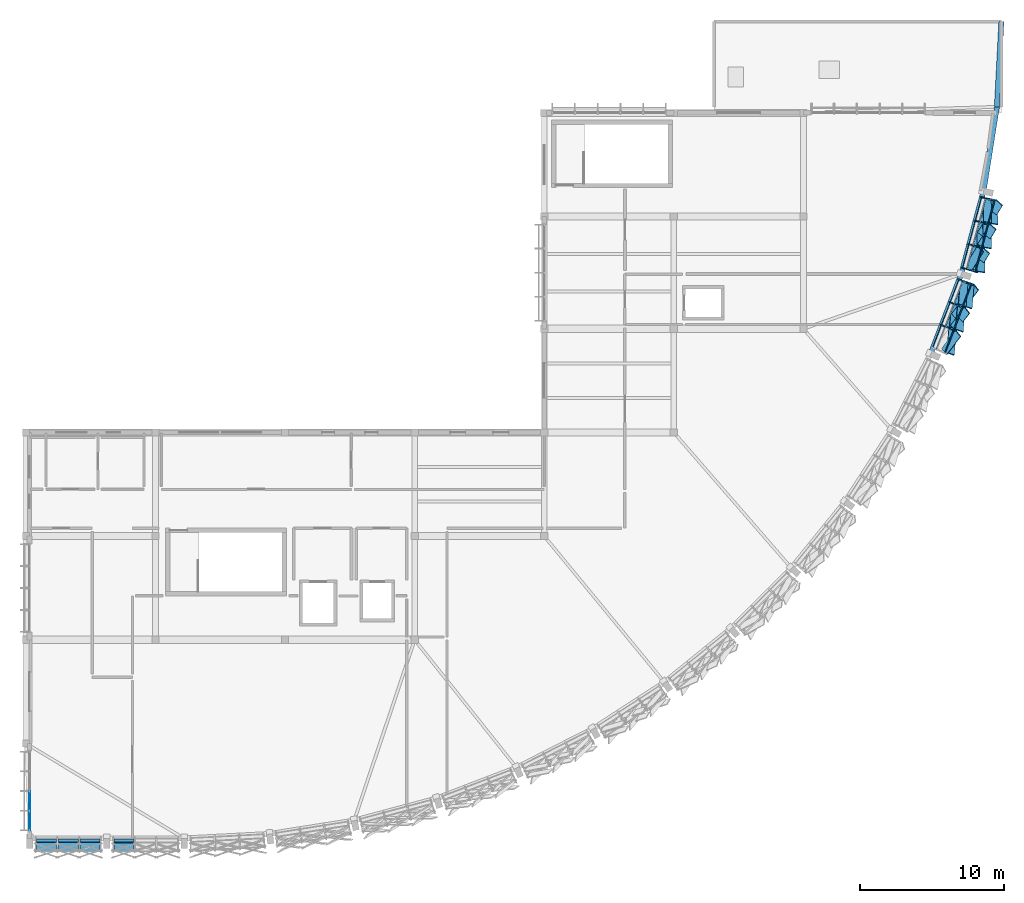
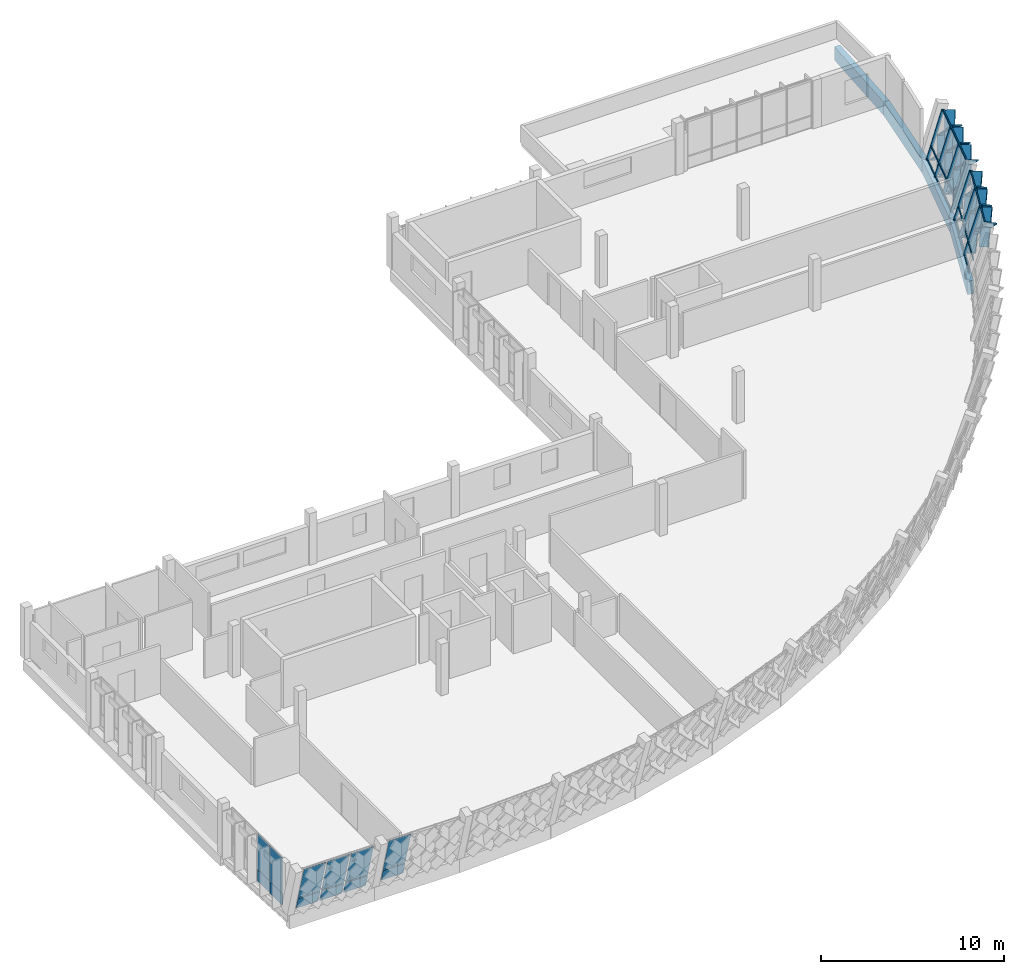
# One storey, part 17 of 24: 35 members, 12 plates, 4 beams, 5 elements without a shape of their own.
"""IFC4 building model written with IfcOpenShell, lengths in metres."""

from ifc_helpers import new_model, si_unit, direction, frame, origin, origin_2d, place, context, subcontext, project, spatial, polyline, rectangle, hollow_rectangle, outline, extrude, material, layer, layer_set, material_profile, profile_set, type_object, element, aggregate, save


model = new_model("IFC4")

# Units and contexts
model_context = context("Model", 3, precision=1e-05, world=origin(), true_north=direction((0.0, 1.0)))
body_context = subcontext(model_context, "Body", "Model", "MODEL_VIEW")
ifc_project = project(units=[si_unit("LENGTHUNIT", "METRE"), si_unit("AREAUNIT", "SQUARE_METRE"), si_unit("VOLUMEUNIT", "CUBIC_METRE"), si_unit("PLANEANGLEUNIT", "RADIAN"), si_unit("MASSUNIT", "GRAM", prefix="KILO")], contexts=[model_context])

# Site, building, storey
site_placement = place(None, origin())
site = spatial("IfcSite", under=ifc_project, at=site_placement, CompositionType="ELEMENT")
building_placement = place(site_placement, origin())
building = spatial("IfcBuilding", under=site, at=building_placement, Name="Chiffa Square Polytechnic", CompositionType="ELEMENT")
storey_placement = place(building_placement, frame((0.0, 0.0, 26.39990234375)))
storey = spatial("IfcBuildingStorey", under=building, at=storey_placement, Name="L06", CompositionType="ELEMENT", Elevation=26.39990234375)

# Curtain wall, members
ifc_material_1 = material(Name="Aluminium EN AW-6060 T66 and glulam shading", Category="wood")
curtain_wall_type_1 = type_object("IfcCurtainWallType", Name="CW-PROW-LEAN-300", PredefinedType="USERDEFINED", material=ifc_material_1)
curtain_wall_1_placement = place(storey_placement, origin())
curtain_wall_1 = element("IfcCurtainWall", 1, at=curtain_wall_1_placement, inside=storey, type_object=curtain_wall_type_1, Name="Outward-leaning diamond-fin prow curtain wall CW-V1-L06-108", ObjectType="CURTAIN WALL", PredefinedType="USERDEFINED")
ifc_material_2 = material(Name="Aluminium EN AW-6060 T66", Category="aluminium")
ifc_material_profile_1 = material_profile(ifc_material_2, hollow_rectangle(XDim=0.06494140625, YDim=0.179931640625, WallThickness=0.00390625, at=origin_2d()), Name="ALU 65x180x4")
ifc_profile_set_1 = profile_set([ifc_material_profile_1], Name="Aluminium EN AW-6060 T66")
member_type_1 = type_object("IfcMemberType", Name="CWM-ALU-75X180", PredefinedType="MULLION", material=ifc_profile_set_1)
member_1_placement = place(storey_placement, frame((175.80810546875, 36.248291015625, 0.0), z_axis=(0.252108195873, -0.101866326101, 0.962322559842), x_axis=(0.374631896193, 0.92717363118, 0.0)))
member_1 = element("IfcMember", 2, at=member_1_placement, type_object=member_type_1, Name="Leaning prow mullion CW-V1-L06-108-M01", PredefinedType="MULLION", context=body_context, shape_type="SweptSolid", body=[
    extrude(hollow_rectangle(XDim=0.06494140625, YDim=0.179931640625, WallThickness=0.00390625, at=origin_2d()), origin(), (0.0, 0.0, 1.0), 3.341064453125),
])
member_2_placement = place(storey_placement, frame((176.4150390625, 37.82958984375, 0.0), z_axis=(0.25554185569, -0.09295088374, 0.962319330162), x_axis=(0.341829370305, 0.939762034558, 0.0)))
member_2 = element("IfcMember", 3, at=member_2_placement, type_object=member_type_1, Name="Leaning prow mullion CW-V1-L06-108-M02", PredefinedType="MULLION", context=body_context, shape_type="SweptSolid", body=[
    extrude(hollow_rectangle(XDim=0.06494140625, YDim=0.179931640625, WallThickness=0.00390625, at=origin_2d()), origin(), (0.0, 0.0, 1.0), 3.341064453125),
])
member_3_placement = place(storey_placement, frame((177.02197265625, 39.410888671875, 0.0), z_axis=(0.258882097714, -0.084101974166, 0.962240571492), x_axis=(0.308970743915, 0.951071542737, 0.0)))
member_3 = element("IfcMember", 4, at=member_3_placement, type_object=member_type_1, Name="Leaning prow mullion CW-V1-L06-108-M03", PredefinedType="MULLION", context=body_context, shape_type="SweptSolid", body=[
    extrude(hollow_rectangle(XDim=0.06494140625, YDim=0.179931640625, WallThickness=0.00390625, at=origin_2d()), origin(), (0.0, 0.0, 1.0), 3.34130859375),
])

curtain_wall_type_2 = type_object("IfcCurtainWallType", Name="CW-PROW-LEAN-150", PredefinedType="USERDEFINED", material=ifc_material_1)
curtain_wall_2_placement = place(storey_placement, origin())
curtain_wall_2 = element("IfcCurtainWall", 5, at=curtain_wall_2_placement, inside=storey, type_object=curtain_wall_type_2, Name="Outward-leaning diamond-fin prow curtain wall CW-V1-L06-109", ObjectType="CURTAIN WALL", PredefinedType="USERDEFINED")
member_4_placement = place(storey_placement, frame((177.287109375, 40.22705078125, 0.0), z_axis=(0.258882097714, -0.084101974166, 0.962240571492), x_axis=(0.308970743915, 0.951071542737, 0.0)))
member_4 = element("IfcMember", 6, at=member_4_placement, type_object=member_type_1, Name="Leaning prow mullion CW-V1-L06-109-M00", PredefinedType="MULLION", context=body_context, shape_type="SweptSolid", body=[
    extrude(hollow_rectangle(XDim=0.06494140625, YDim=0.179931640625, WallThickness=0.00390625, at=origin_2d()), origin(), (0.0, 0.0, 1.0), 3.34130859375),
])
member_5_placement = place(storey_placement, frame((177.7255859375, 41.863037109375, 0.0), z_axis=(0.26145690764, -0.074900315911, 0.962304644135), x_axis=(0.27539529089, 0.961331073957, 0.0)))
member_5 = element("IfcMember", 7, at=member_5_placement, type_object=member_type_1, Name="Leaning prow mullion CW-V1-L06-109-M01", PredefinedType="MULLION", context=body_context, shape_type="SweptSolid", body=[
    extrude(hollow_rectangle(XDim=0.06494140625, YDim=0.179931640625, WallThickness=0.00390625, at=origin_2d()), origin(), (0.0, 0.0, 1.0), 3.341064453125),
])
member_6_placement = place(storey_placement, frame((178.164306640625, 43.4990234375, 0.0), z_axis=(0.263870719301, -0.06576672594, 0.962313348788), x_axis=(0.241840074915, 0.9703161228, 0.0)))
member_6 = element("IfcMember", 8, at=member_6_placement, type_object=member_type_1, Name="Leaning prow mullion CW-V1-L06-109-M02", PredefinedType="MULLION", context=body_context, shape_type="SweptSolid", body=[
    extrude(hollow_rectangle(XDim=0.06494140625, YDim=0.179931640625, WallThickness=0.00390625, at=origin_2d()), origin(), (0.0, 0.0, 1.0), 3.341064453125),
])
member_7_placement = place(storey_placement, frame((178.60302734375, 45.135009765625, 0.0), z_axis=(0.266329798906, -0.05655398199, 0.96222143259), x_axis=(0.207714320437, 0.978189532292, 0.0)))
member_7 = element("IfcMember", 9, at=member_7_placement, type_object=member_type_1, Name="Leaning prow mullion CW-V1-L06-109-M03", PredefinedType="MULLION", context=body_context, shape_type="SweptSolid", body=[
    extrude(hollow_rectangle(XDim=0.06494140625, YDim=0.179931640625, WallThickness=0.00390625, at=origin_2d()), origin(), (0.0, 0.0, 1.0), 3.34130859375),
])

# Member
ifc_material_3 = material(Name="Glulam GL28h", Category="wood")
ifc_material_profile_2 = material_profile(ifc_material_3, rectangle(XDim=0.080078125, YDim=0.580078125, at=origin_2d()), Name="GL28h 80x580")
ifc_profile_set_2 = profile_set([ifc_material_profile_2], Name="Glulam GL28h")
member_type_2 = type_object("IfcMemberType", Name="CWM-GL-80X580", PredefinedType="MULLION", material=ifc_profile_set_2)
member_8_placement = place(storey_placement, frame((176.0, 34.43505859375, 1.608154296875), z_axis=(0.430084922398, 0.564074607108, 0.704873603664), x_axis=(-0.683975451646, -0.306011651011, 0.662219337525)))
member_8 = element("IfcMember", 10, at=member_8_placement, type_object=member_type_2, Name="Diamond glulam fin CW-V1-L06-108-DF02A", PredefinedType="MULLION", context=body_context, shape_type="SweptSolid", body=[
    extrude(rectangle(XDim=0.080078125, YDim=0.580078125, at=origin_2d()), origin(), (0.0, 0.0, 1.0), 2.222900390625),
])

member_9_placement = place(storey_placement, frame((176.5458984375, 35.85595703125, 1.608154296875), z_axis=(-0.062348623131, -0.713037569595, 0.698348103412), x_axis=(0.413797342018, 0.618269003803, 0.668217927532)))
member_9 = element("IfcMember", 11, at=member_9_placement, type_object=member_type_2, Name="Diamond glulam fin CW-V1-L06-108-DF02B", PredefinedType="MULLION", context=body_context, shape_type="SweptSolid", body=[
    extrude(rectangle(XDim=0.080078125, YDim=0.580078125, at=origin_2d()), origin(), (0.0, 0.0, 1.0), 2.24365234375),
])

member_10_placement = place(storey_placement, frame((176.201904296875, 36.197021484375, 0.0400390625), z_axis=(0.429812025075, 0.564155722392, 0.704975137145), x_axis=(-0.68391799342, -0.306343745048, 0.662125130278)))
member_10 = element("IfcMember", 12, at=member_10_placement, type_object=member_type_2, Name="Diamond glulam fin CW-V1-L06-108-DF03A", PredefinedType="MULLION", context=body_context, shape_type="SweptSolid", body=[
    extrude(rectangle(XDim=0.080078125, YDim=0.580078125, at=origin_2d()), origin(), (0.0, 0.0, 1.0), 2.224365234375),
])

member_11_placement = place(storey_placement, frame((176.741943359375, 37.60400390625, 0.0400390625), z_axis=(-0.057957472628, -0.706795769418, 0.705039482369), x_axis=(0.410962110701, 0.626721254776, 0.662065413974)))
member_11 = element("IfcMember", 13, at=member_11_placement, type_object=member_type_2, Name="Diamond glulam fin CW-V1-L06-108-DF03B", PredefinedType="MULLION", context=body_context, shape_type="SweptSolid", body=[
    extrude(rectangle(XDim=0.080078125, YDim=0.580078125, at=origin_2d()), origin(), (0.0, 0.0, 1.0), 2.22412109375),
])

member_12_placement = place(storey_placement, frame((176.613037109375, 36.031982421875, 1.608154296875), z_axis=(0.430323413265, 0.567860723704, 0.701680809536), x_axis=(-0.68126769379, -0.305656322216, 0.665168055523)))
member_12 = element("IfcMember", 14, at=member_12_placement, type_object=member_type_2, Name="Diamond glulam fin CW-V1-L06-108-DF04A", PredefinedType="MULLION", context=body_context, shape_type="SweptSolid", body=[
    extrude(rectangle(XDim=0.080078125, YDim=0.580078125, at=origin_2d()), origin(), (0.0, 0.0, 1.0), 2.233154296875),
])

member_13_placement = place(storey_placement, frame((177.157958984375, 37.451904296875, 1.608154296875), z_axis=(-0.060011598453, -0.71008259299, 0.701556354959), x_axis=(0.412251240566, 0.622453341045, 0.665282460969)))
member_13 = element("IfcMember", 15, at=member_13_placement, type_object=member_type_2, Name="Diamond glulam fin CW-V1-L06-108-DF04B", PredefinedType="MULLION", context=body_context, shape_type="SweptSolid", body=[
    extrude(rectangle(XDim=0.080078125, YDim=0.580078125, at=origin_2d()), origin(), (0.0, 0.0, 1.0), 2.2333984375),
])

member_14_placement = place(storey_placement, frame((176.80908203125, 37.778076171875, 0.0400390625), z_axis=(0.430300959567, 0.568128322758, 0.701477934847), x_axis=(-0.681076327582, -0.305676933078, 0.665354528498)))
member_14 = element("IfcMember", 16, at=member_14_placement, type_object=member_type_2, Name="Diamond glulam fin CW-V1-L06-108-DF05A", PredefinedType="MULLION", context=body_context, shape_type="SweptSolid", body=[
    extrude(rectangle(XDim=0.080078125, YDim=0.580078125, at=origin_2d()), origin(), (0.0, 0.0, 1.0), 2.2353515625),
])

member_15_placement = place(storey_placement, frame((177.34912109375, 39.18603515625, 0.0400390625), z_axis=(-0.055576599673, -0.703749720466, 0.708270832741), x_axis=(0.409312129442, 0.630962243777, 0.659052522656)))
member_15 = element("IfcMember", 17, at=member_15_placement, type_object=member_type_2, Name="Diamond glulam fin CW-V1-L06-108-DF05B", PredefinedType="MULLION", context=body_context, shape_type="SweptSolid", body=[
    extrude(rectangle(XDim=0.080078125, YDim=0.580078125, at=origin_2d()), origin(), (0.0, 0.0, 1.0), 2.214111328125),
])

member_16_placement = place(storey_placement, frame((177.22607421875, 37.6279296875, 1.608154296875), z_axis=(0.430468957511, 0.571818597502, 0.698369506902), x_axis=(-0.678433699522, -0.305349917329, 0.668198431111)))
member_16 = element("IfcMember", 18, at=member_16_placement, type_object=member_type_2, Name="Diamond glulam fin CW-V1-L06-108-DF06A", PredefinedType="MULLION", context=body_context, shape_type="SweptSolid", body=[
    extrude(rectangle(XDim=0.080078125, YDim=0.580078125, at=origin_2d()), origin(), (0.0, 0.0, 1.0), 2.24365234375),
])

member_17_placement = place(storey_placement, frame((177.77099609375, 39.048095703125, 1.608154296875), z_axis=(-0.057997913635, -0.706849572427, 0.70498221536), x_axis=(0.410989469521, 0.626647162343, 0.662118561793)))
member_17 = element("IfcMember", 19, at=member_17_placement, type_object=member_type_2, Name="Diamond glulam fin CW-V1-L06-108-DF06B", PredefinedType="MULLION", context=body_context, shape_type="SweptSolid", body=[
    extrude(rectangle(XDim=0.080078125, YDim=0.580078125, at=origin_2d()), origin(), (0.0, 0.0, 1.0), 2.22265625),
])

member_18_placement = place(storey_placement, frame((177.68408203125, 40.216064453125, 0.0400390625), z_axis=(0.368435478886, 0.602373266497, 0.70809727136), x_axis=(-0.577674088983, -0.448435215524, 0.682054619804)))
member_18 = element("IfcMember", 20, at=member_18_placement, type_object=member_type_2, Name="Diamond glulam fin CW-V1-L06-109-DF01A", PredefinedType="MULLION", context=body_context, shape_type="SweptSolid", body=[
    extrude(rectangle(XDim=0.080078125, YDim=0.580078125, at=origin_2d()), origin(), (0.0, 0.0, 1.0), 2.214599609375),
])

member_19_placement = place(storey_placement, frame((178.074951171875, 41.673095703125, 0.0400390625), z_axis=(0.013869499132, -0.712586471164, 0.701447188396), x_axis=(0.245585047307, 0.682454250372, 0.68843603965)))
member_19 = element("IfcMember", 21, at=member_19_placement, type_object=member_type_2, Name="Diamond glulam fin CW-V1-L06-109-DF01B", PredefinedType="MULLION", context=body_context, shape_type="SweptSolid", body=[
    extrude(rectangle(XDim=0.080078125, YDim=0.580078125, at=origin_2d()), origin(), (0.0, 0.0, 1.0), 2.235595703125),
])

member_20_placement = place(storey_placement, frame((178.10595703125, 40.080078125, 1.608154296875), z_axis=(0.368896219748, 0.605894743779, 0.704845471374), x_axis=(-0.575126354657, -0.446927673022, 0.685189996472)))
member_20 = element("IfcMember", 22, at=member_20_placement, type_object=member_type_2, Name="Diamond glulam fin CW-V1-L06-109-DF02A", PredefinedType="MULLION", context=body_context, shape_type="SweptSolid", body=[
    extrude(rectangle(XDim=0.080078125, YDim=0.580078125, at=origin_2d()), origin(), (0.0, 0.0, 1.0), 2.22314453125),
])

member_21_placement = place(storey_placement, frame((178.5, 41.550048828125, 1.608154296875), z_axis=(0.012512273414, -0.715702039264, 0.698293658862), x_axis=(0.246989347335, 0.678920943675, 0.691420721806)))
member_21 = element("IfcMember", 23, at=member_21_placement, type_object=member_type_2, Name="Diamond glulam fin CW-V1-L06-109-DF02B", PredefinedType="MULLION", context=body_context, shape_type="SweptSolid", body=[
    extrude(rectangle(XDim=0.080078125, YDim=0.580078125, at=origin_2d()), origin(), (0.0, 0.0, 1.0), 2.243896484375),
])

member_22_placement = place(storey_placement, frame((178.123046875, 41.85302734375, 0.0400390625), z_axis=(0.368655398862, 0.605938212896, 0.704934095531), x_axis=(-0.575026961879, -0.447185904233, 0.685104926393)))
member_22 = element("IfcMember", 24, at=member_22_placement, type_object=member_type_2, Name="Diamond glulam fin CW-V1-L06-109-DF03A", PredefinedType="MULLION", context=body_context, shape_type="SweptSolid", body=[
    extrude(rectangle(XDim=0.080078125, YDim=0.580078125, at=origin_2d()), origin(), (0.0, 0.0, 1.0), 2.224365234375),
])

member_23_placement = place(storey_placement, frame((178.512939453125, 43.30908203125, 0.0400390625), z_axis=(0.01624428527, -0.709041100306, 0.704980028989), x_axis=(0.24315433538, 0.68670782215, 0.685060826631)))
member_23 = element("IfcMember", 25, at=member_23_placement, type_object=member_type_2, Name="Diamond glulam fin CW-V1-L06-109-DF03B", PredefinedType="MULLION", context=body_context, shape_type="SweptSolid", body=[
    extrude(rectangle(XDim=0.080078125, YDim=0.580078125, at=origin_2d()), origin(), (0.0, 0.0, 1.0), 2.224365234375),
])

member_24_placement = place(storey_placement, frame((178.549072265625, 41.73193359375, 1.608154296875), z_axis=(0.368985859691, 0.609509975638, 0.701674443703), x_axis=(-0.572406987833, -0.445761782123, 0.688219931329)))
member_24 = element("IfcMember", 26, at=member_24_placement, type_object=member_type_2, Name="Diamond glulam fin CW-V1-L06-109-DF04A", PredefinedType="MULLION", context=body_context, shape_type="SweptSolid", body=[
    extrude(rectangle(XDim=0.080078125, YDim=0.580078125, at=origin_2d()), origin(), (0.0, 0.0, 1.0), 2.233154296875),
])

member_25_placement = place(storey_placement, frame((178.943115234375, 43.200927734375, 1.608154296875), z_axis=(0.014321761152, -0.712370959263, 0.701656970005), x_axis=(0.245143807756, 0.682814001666, 0.688236552827)))
member_25 = element("IfcMember", 27, at=member_25_placement, type_object=member_type_2, Name="Diamond glulam fin CW-V1-L06-109-DF04B", PredefinedType="MULLION", context=body_context, shape_type="SweptSolid", body=[
    extrude(rectangle(XDim=0.080078125, YDim=0.580078125, at=origin_2d()), origin(), (0.0, 0.0, 1.0), 2.233154296875),
])

member_26_placement = place(storey_placement, frame((178.56201171875, 43.489013671875, 0.0400390625), z_axis=(0.36854967252, 0.610099857887, 0.701390976769), x_axis=(-0.571840749108, -0.446072195383, 0.688489472807)))
member_26 = element("IfcMember", 28, at=member_26_placement, type_object=member_type_2, Name="Diamond glulam fin CW-V1-L06-109-DF05A", PredefinedType="MULLION", context=body_context, shape_type="SweptSolid", body=[
    extrude(rectangle(XDim=0.080078125, YDim=0.580078125, at=origin_2d()), origin(), (0.0, 0.0, 1.0), 2.23583984375),
])

member_27_placement = place(storey_placement, frame((178.951904296875, 44.945068359375, 0.0400390625), z_axis=(0.018086938899, -0.705611189483, 0.708368344803), x_axis=(0.241200910012, 0.69063873477, 0.681791947037)))
member_27 = element("IfcMember", 29, at=member_27_placement, type_object=member_type_2, Name="Diamond glulam fin CW-V1-L06-109-DF05B", PredefinedType="MULLION", context=body_context, shape_type="SweptSolid", body=[
    extrude(rectangle(XDim=0.080078125, YDim=0.580078125, at=origin_2d()), origin(), (0.0, 0.0, 1.0), 2.213623046875),
])

member_28_placement = place(storey_placement, frame((178.991943359375, 43.383056640625, 1.608154296875), z_axis=(0.368987880391, 0.613529376594, 0.698161620386), x_axis=(-0.569360841818, -0.444514997433, 0.69154511701)))
member_28 = element("IfcMember", 30, at=member_28_placement, type_object=member_type_2, Name="Diamond glulam fin CW-V1-L06-109-DF06A", PredefinedType="MULLION", context=body_context, shape_type="SweptSolid", body=[
    extrude(rectangle(XDim=0.080078125, YDim=0.580078125, at=origin_2d()), origin(), (0.0, 0.0, 1.0), 2.244384765625),
])

member_29_placement = place(storey_placement, frame((179.385986328125, 44.85302734375, 1.608154296875), z_axis=(0.016256900713, -0.709042527723, 0.704978302545), x_axis=(0.243142193578, 0.686710467639, 0.685062484257)))
member_29 = element("IfcMember", 31, at=member_29_placement, type_object=member_type_2, Name="Diamond glulam fin CW-V1-L06-109-DF06B", PredefinedType="MULLION", context=body_context, shape_type="SweptSolid", body=[
    extrude(rectangle(XDim=0.080078125, YDim=0.580078125, at=origin_2d()), origin(), (0.0, 0.0, 1.0), 2.22265625),
])

ifc_material_profile_3 = material_profile(ifc_material_2, hollow_rectangle(XDim=0.06494140625, YDim=0.139892578125, WallThickness=0.00390625, at=origin_2d()), Name="ALU 65x140x4")
ifc_profile_set_3 = profile_set([ifc_material_profile_3], Name="Aluminium EN AW-6060 T66")
member_type_3 = type_object("IfcMemberType", Name="CWT-ALU-75X140", PredefinedType="USERDEFINED", material=ifc_profile_set_3)
member_30_placement = place(storey_placement, frame((175.211181640625, 34.662353515625, 0.0400390625), z_axis=(0.358377101754, 0.933576913242, 0.0), x_axis=(-0.933576913242, 0.358377101754, 0.0)))
member_30 = element("IfcMember", 32, at=member_30_placement, type_object=member_type_3, Name="Leaning prow transom CW-V1-L06-108-T01", ObjectType="TRANSOM", PredefinedType="USERDEFINED", context=body_context, shape_type="SweptSolid", body=[
    extrude(hollow_rectangle(XDim=0.06494140625, YDim=0.139892578125, WallThickness=0.00390625, at=origin_2d()), origin(), (0.0, 0.0, 1.0), 5.082763671875),
])

member_31_placement = place(storey_placement, frame((175.420654296875, 34.569091796875, 0.85009765625), z_axis=(0.358363912947, 0.933581975992, 0.0), x_axis=(-0.933581975992, 0.358363912947, 0.0)))
member_31 = element("IfcMember", 33, at=member_31_placement, type_object=member_type_3, Name="Leaning prow transom CW-V1-L06-108-T02", ObjectType="TRANSOM", PredefinedType="USERDEFINED", context=body_context, shape_type="SweptSolid", body=[
    extrude(hollow_rectangle(XDim=0.06494140625, YDim=0.139892578125, WallThickness=0.00390625, at=origin_2d()), origin(), (0.0, 0.0, 1.0), 5.106689453125),
])

member_32_placement = place(storey_placement, frame((176.021728515625, 34.301513671875, 3.175048828125), z_axis=(0.358308870631, 0.933603102623, 0.0), x_axis=(-0.933603102623, 0.358308870631, 0.0)))
member_32 = element("IfcMember", 34, at=member_32_placement, type_object=member_type_3, Name="Leaning prow transom CW-V1-L06-108-T03", ObjectType="TRANSOM", PredefinedType="USERDEFINED", context=body_context, shape_type="SweptSolid", body=[
    extrude(hollow_rectangle(XDim=0.06494140625, YDim=0.139892578125, WallThickness=0.00390625, at=origin_2d()), origin(), (0.0, 0.0, 1.0), 5.17578125),
])

aggregate(curtain_wall_1, [member_1, member_2, member_3, member_30, member_31, member_32, member_8, member_9, member_10, member_11, member_12, member_13, member_14, member_15, member_16, member_17])

member_33_placement = place(storey_placement, frame((177.2978515625, 40.223388671875, 0.0400390625), z_axis=(0.258956973963, 0.965888857807, 0.0), x_axis=(-0.965888857807, 0.258956973963, 0.0)))
member_33 = element("IfcMember", 35, at=member_33_placement, type_object=member_type_3, Name="Leaning prow transom CW-V1-L06-109-T01", ObjectType="TRANSOM", PredefinedType="USERDEFINED", context=body_context, shape_type="SweptSolid", body=[
    extrude(hollow_rectangle(XDim=0.06494140625, YDim=0.139892578125, WallThickness=0.00390625, at=origin_2d()), origin(), (0.0, 0.0, 1.0), 5.08251953125),
])

member_34_placement = place(storey_placement, frame((177.515625, 40.152587890625, 0.85009765625), z_axis=(0.259025227631, 0.96587055626, 0.0), x_axis=(-0.96587055626, 0.259025227631, 0.0)))
member_34 = element("IfcMember", 36, at=member_34_placement, type_object=member_type_3, Name="Leaning prow transom CW-V1-L06-109-T02", ObjectType="TRANSOM", PredefinedType="USERDEFINED", context=body_context, shape_type="SweptSolid", body=[
    extrude(hollow_rectangle(XDim=0.06494140625, YDim=0.139892578125, WallThickness=0.00390625, at=origin_2d()), origin(), (0.0, 0.0, 1.0), 5.106689453125),
])

member_35_placement = place(storey_placement, frame((178.14111328125, 39.949462890625, 3.175048828125), z_axis=(0.25905987778, 0.965861263187, 0.0), x_axis=(-0.965861263187, 0.25905987778, 0.0)))
member_35 = element("IfcMember", 37, at=member_35_placement, type_object=member_type_3, Name="Leaning prow transom CW-V1-L06-109-T03", ObjectType="TRANSOM", PredefinedType="USERDEFINED", context=body_context, shape_type="SweptSolid", body=[
    extrude(hollow_rectangle(XDim=0.06494140625, YDim=0.139892578125, WallThickness=0.00390625, at=origin_2d()), origin(), (0.0, 0.0, 1.0), 5.17578125),
])

aggregate(curtain_wall_2, [member_4, member_5, member_6, member_7, member_33, member_34, member_35, member_18, member_19, member_20, member_21, member_22, member_23, member_24, member_25, member_26, member_27, member_28, member_29])

# Beams
ifc_material_4 = material(Name="Glulam GL32c", Category="wood")
ifc_material_profile_4 = material_profile(ifc_material_4, rectangle(XDim=0.360107421875, YDim=0.89990234375, at=origin_2d()), Name="GL32c 360x900")
ifc_profile_set_4 = profile_set([ifc_material_profile_4], Name="Glulam GL32c")
beam_type = type_object("IfcBeamType", Name="RB-GL-360X900", PredefinedType="SPANDREL", material=ifc_profile_set_4)
beam_1_placement = place(storey_placement, frame((175.047119140625, 34.26611328125, -0.669921875), z_axis=(0.358373128363, 0.933578438519, 0.0), x_axis=(-0.933578438519, 0.358373128363, 0.0)))
element("IfcBeam", 38, at=beam_1_placement, inside=storey, type_object=beam_type, Name="Prow perimeter edge beam RB-V1-PROW-L06-14", PredefinedType="SPANDREL", context=body_context, shape_type="SweptSolid", body=[
    extrude(rectangle(XDim=0.360107421875, YDim=0.89990234375, at=origin_2d()), origin(), (0.0, 0.0, 1.0), 5.9404296875),
])
beam_2_placement = place(storey_placement, frame((177.176025390625, 39.81201171875, -0.669921875), z_axis=(0.258910691004, 0.965901265184, 0.0), x_axis=(-0.965901265184, 0.258910691004, 0.0)))
element("IfcBeam", 39, at=beam_2_placement, inside=storey, type_object=beam_type, Name="Prow perimeter edge beam RB-V1-PROW-L06-15", PredefinedType="SPANDREL", context=body_context, shape_type="SweptSolid", body=[
    extrude(rectangle(XDim=0.360107421875, YDim=0.89990234375, at=origin_2d()), origin(), (0.0, 0.0, 1.0), 5.940673828125),
])
beam_3_placement = place(storey_placement, frame((178.714111328125, 45.550048828125, -0.669921875), z_axis=(0.156363506933, 0.987699576642, 0.0), x_axis=(-0.987699576642, 0.156363506933, 0.0)))
element("IfcBeam", 40, at=beam_3_placement, inside=storey, type_object=beam_type, Name="Prow perimeter edge beam RB-V1-PROW-L06-16", PredefinedType="SPANDREL", context=body_context, shape_type="SweptSolid", body=[
    extrude(rectangle(XDim=0.360107421875, YDim=0.89990234375, at=origin_2d()), origin(), (0.0, 0.0, 1.0), 5.94091796875),
])
beam_4_placement = place(storey_placement, frame((179.64306640625, 51.41796875, -0.669921875), z_axis=(0.052360375196, 0.998628254712, 0.0), x_axis=(-0.998628254712, 0.052360375196, 0.0)))
element("IfcBeam", 41, at=beam_4_placement, inside=storey, type_object=beam_type, Name="Prow perimeter edge beam RB-V1-PROW-L06-17", PredefinedType="SPANDREL", context=body_context, shape_type="SweptSolid", body=[
    extrude(rectangle(XDim=0.360107421875, YDim=0.89990234375, at=origin_2d()), origin(), (0.0, 0.0, 1.0), 5.940185546875),
])

# Curtain wall, plate
curtain_wall_3_placement = place(storey_placement, origin())
curtain_wall_3 = element("IfcCurtainWall", 42, at=curtain_wall_3_placement, inside=storey, type_object=curtain_wall_type_1, Name="Outward-leaning diamond-fin prow curtain wall CW-V1-L06-096", ObjectType="CURTAIN WALL", PredefinedType="USERDEFINED")
ifc_material_5 = material(Name="Double glazing", Category="glass")
ifc_layer_1 = layer(ifc_material_5, 0.035888671875, Name="Double glazing")
ifc_layer_set_1 = layer_set([ifc_layer_1], Name="Double glazing")
plate_type_1 = type_object("IfcPlateType", Name="CWP-GLZ-120X145", PredefinedType="CURTAIN_PANEL", material=ifc_layer_set_1)
plate_1_placement = place(storey_placement, frame((118.30908203125, 0.347412109375, 0.878173828125), z_axis=(0.0, 0.9622055391, 0.272324256219), x_axis=(1.0, 0.0, 0.0)))
plate_1 = element("IfcPlate", 43, at=plate_1_placement, type_object=plate_type_1, Name="Leaning prow curtain panel CW-V1-L06-096-PN01", PredefinedType="CURTAIN_PANEL", context=body_context, shape_type="SweptSolid", body=[
    extrude(outline(polyline([(0.0, 0.0), (1.396728515625, 0.0), (1.396728515625, -2.3820193236926053), (0.0, -2.3820193236926053), (0.0, 0.0)])), origin(), (0.0, 0.0, -1.0), 0.035888671875),
])

# Curtain wall, plates
curtain_wall_type_3 = type_object("IfcCurtainWallType", Name="CW-VERT-450X380", PredefinedType="USERDEFINED", material=ifc_material_1)
curtain_wall_4_placement = place(storey_placement, origin())
curtain_wall_4 = element("IfcCurtainWall", 44, at=curtain_wall_4_placement, inside=storey, type_object=curtain_wall_type_3, Name="Curtain wall CW-V1-L06-146", ObjectType="CURTAIN WALL", PredefinedType="USERDEFINED")
ifc_layer_2 = layer(ifc_material_5, 0.0439453125, Name="Double glazing")
ifc_layer_set_2 = layer_set([ifc_layer_2], Name="Double glazing")
plate_type_2 = type_object("IfcPlateType", Name="CWP-GLZ-134X118", PredefinedType="CURTAIN_PANEL", material=ifc_layer_set_2)
plate_2_placement = place(storey_placement, frame((112.449951171875, 3.2080078125, 0.840087890625), z_axis=(0.0, 0.0, 1.0), x_axis=(0.0, -1.0, 0.0)))
plate_2 = element("IfcPlate", 45, at=plate_2_placement, type_object=plate_type_2, Name="Glazed curtain panel CW-V1-L06-146-PN03", PredefinedType="CURTAIN_PANEL", context=body_context, shape_type="SweptSolid", body=[
    extrude(rectangle(XDim=1.3291015625, YDim=0.0439453125, at=origin_2d()), origin(), (0.0, 0.0, 1.0), 2.330078125),
])
plate_3_placement = place(storey_placement, frame((112.449951171875, 1.837890625, 0.840087890625), z_axis=(0.0, 0.0, 1.0), x_axis=(0.0, -1.0, 0.0)))
plate_3 = element("IfcPlate", 46, at=plate_3_placement, type_object=plate_type_2, Name="Glazed curtain panel CW-V1-L06-146-PN04", PredefinedType="CURTAIN_PANEL", context=body_context, shape_type="SweptSolid", body=[
    extrude(rectangle(XDim=1.306884765625, YDim=0.0439453125, at=origin_2d()), origin(), (0.0, 0.0, 1.0), 2.330078125),
])

curtain_wall_5_placement = place(storey_placement, origin())
curtain_wall_5 = element("IfcCurtainWall", 47, at=curtain_wall_5_placement, inside=storey, type_object=curtain_wall_type_2, Name="Outward-leaning diamond-fin prow curtain wall CW-V1-L06-095", ObjectType="CURTAIN WALL", PredefinedType="USERDEFINED")
ifc_layer_3 = layer(ifc_material_5, 0.035888671875, Name="Double glazing")
ifc_layer_set_3 = layer_set([ifc_layer_3], Name="Double glazing")
plate_type_3 = type_object("IfcPlateType", Name="CWP-GLZ-150X125", PredefinedType="CURTAIN_PANEL", material=ifc_layer_set_3)
plate_4_placement = place(storey_placement, frame((112.93408203125, 0.347412109375, 0.878173828125), z_axis=(0.0, 0.9622055391, 0.272324256219), x_axis=(1.0, 0.0, 0.0)))
plate_4 = element("IfcPlate", 48, at=plate_4_placement, type_object=plate_type_3, Name="Leaning prow curtain panel CW-V1-L06-095-PN01", PredefinedType="CURTAIN_PANEL", context=body_context, shape_type="SweptSolid", body=[
    extrude(outline(polyline([(0.0, 0.0), (1.396728515625, 0.0), (1.396728515625, -2.3820193236926053), (0.0, -2.3820193236926053), (0.0, 0.0)])), origin(), (0.0, 0.0, -1.0), 0.035888671875),
])
plate_5_placement = place(storey_placement, frame((114.439208984375, 0.347412109375, 0.878173828125), z_axis=(0.0, 0.9622055391, 0.272324256219), x_axis=(1.0, 0.0, 0.0)))
plate_5 = element("IfcPlate", 49, at=plate_5_placement, type_object=plate_type_3, Name="Leaning prow curtain panel CW-V1-L06-095-PN02", PredefinedType="CURTAIN_PANEL", context=body_context, shape_type="SweptSolid", body=[
    extrude(outline(polyline([(0.0, 0.0), (1.396484375, 0.0), (1.396484375, -2.3820193236926053), (0.0, -2.3820193236926053), (0.0, 0.0)])), origin(), (0.0, 0.0, -1.0), 0.035888671875),
])
plate_6_placement = place(storey_placement, frame((115.944091796875, 0.347412109375, 0.878173828125), z_axis=(0.0, 0.9622055391, 0.272324256219), x_axis=(1.0, 0.0, 0.0)))
plate_6 = element("IfcPlate", 50, at=plate_6_placement, type_object=plate_type_3, Name="Leaning prow curtain panel CW-V1-L06-095-PN03", PredefinedType="CURTAIN_PANEL", context=body_context, shape_type="SweptSolid", body=[
    extrude(outline(polyline([(0.0, 0.0), (1.396728515625, 0.0), (1.396728515625, -2.3820193236926053), (0.0, -2.3820193236926053), (0.0, 0.0)])), origin(), (0.0, 0.0, -1.0), 0.035888671875),
])

# Plate
ifc_material_6 = material(Name="Aluminium insulated spandrel", Category="aluminium")
ifc_layer_4 = layer(ifc_material_6, 0.06591796875, Name="Aluminium insulated spandrel")
ifc_layer_set_4 = layer_set([ifc_layer_4], Name="Aluminium insulated spandrel")
plate_type_4 = type_object("IfcPlateType", Name="CWP-SPN-144X078", PredefinedType="SHEET", material=ifc_layer_set_4)
plate_7_placement = place(storey_placement, frame((112.449951171875, 3.2080078125, 0.050048828125), z_axis=(0.0, 0.0, 1.0), x_axis=(0.0, -1.0, 0.0)))
plate_7 = element("IfcPlate", 51, at=plate_7_placement, type_object=plate_type_4, Name="Spandrel panel CW-V1-L06-146-SP03", PredefinedType="SHEET", context=body_context, shape_type="SweptSolid", body=[
    extrude(rectangle(XDim=1.3291015625, YDim=0.06591796875, at=origin_2d()), origin(), (0.0, 0.0, 1.0), 0.75),
])

plate_8_placement = place(storey_placement, frame((112.449951171875, 1.837890625, 0.050048828125), z_axis=(0.0, 0.0, 1.0), x_axis=(0.0, -1.0, 0.0)))
plate_8 = element("IfcPlate", 52, at=plate_8_placement, type_object=plate_type_4, Name="Spandrel panel CW-V1-L06-146-SP04", PredefinedType="SHEET", context=body_context, shape_type="SweptSolid", body=[
    extrude(rectangle(XDim=1.306884765625, YDim=0.06591796875, at=origin_2d()), origin(), (0.0, 0.0, 1.0), 0.75),
])

aggregate(curtain_wall_4, [plate_7, plate_2, plate_8, plate_3])

ifc_layer_5 = layer(ifc_material_6, 0.06201171875, Name="Aluminium insulated spandrel")
ifc_layer_set_5 = layer_set([ifc_layer_5], Name="Aluminium insulated spandrel")
plate_type_5 = type_object("IfcPlateType", Name="CWP-SPN-148X084", PredefinedType="SHEET", material=ifc_layer_set_5)
plate_9_placement = place(storey_placement, frame((118.30908203125, 0.581787109375, 0.050048828125), z_axis=(0.0, 0.962198523194, 0.272349044358), x_axis=(1.0, 0.0, 0.0)))
plate_9 = element("IfcPlate", 53, at=plate_9_placement, type_object=plate_type_5, Name="Leaning prow curtain panel CW-V1-L06-096-SP01", PredefinedType="SHEET", context=body_context, shape_type="SweptSolid", body=[
    extrude(outline(polyline([(0.0, 0.0), (1.396728515625, 0.0), (1.396728515625, -0.8023008117775327), (0.0, -0.8023008117775327), (0.0, 0.0)])), origin(), (0.0, 0.0, -1.0), 0.06201171875),
])

aggregate(curtain_wall_3, [plate_9, plate_1])

ifc_layer_6 = layer(ifc_material_6, 0.06005859375, Name="Aluminium insulated spandrel")
ifc_layer_set_6 = layer_set([ifc_layer_6], Name="Aluminium insulated spandrel")
plate_type_6 = type_object("IfcPlateType", Name="CWP-SPN-150X080", PredefinedType="SHEET", material=ifc_layer_set_6)
plate_10_placement = place(storey_placement, frame((112.93408203125, 0.581787109375, 0.050048828125), z_axis=(0.0, 0.962198523194, 0.272349044358), x_axis=(1.0, 0.0, 0.0)))
plate_10 = element("IfcPlate", 54, at=plate_10_placement, type_object=plate_type_6, Name="Leaning prow curtain panel CW-V1-L06-095-SP01", PredefinedType="SHEET", context=body_context, shape_type="SweptSolid", body=[
    extrude(outline(polyline([(0.0, 0.0), (1.396728515625, 0.0), (1.396728515625, -0.8023008117775327), (0.0, -0.8023008117775327), (0.0, 0.0)])), origin(), (0.0, 0.0, -1.0), 0.06005859375),
])

plate_11_placement = place(storey_placement, frame((114.439208984375, 0.581787109375, 0.050048828125), z_axis=(0.0, 0.962198523194, 0.272349044358), x_axis=(1.0, 0.0, 0.0)))
plate_11 = element("IfcPlate", 55, at=plate_11_placement, type_object=plate_type_6, Name="Leaning prow curtain panel CW-V1-L06-095-SP02", PredefinedType="SHEET", context=body_context, shape_type="SweptSolid", body=[
    extrude(outline(polyline([(0.0, 0.0), (1.396484375, 0.0), (1.396484375, -0.8023008117775327), (0.0, -0.8023008117775327), (0.0, 0.0)])), origin(), (0.0, 0.0, -1.0), 0.06005859375),
])

plate_12_placement = place(storey_placement, frame((115.944091796875, 0.581787109375, 0.050048828125), z_axis=(0.0, 0.962198523194, 0.272349044358), x_axis=(1.0, 0.0, 0.0)))
plate_12 = element("IfcPlate", 56, at=plate_12_placement, type_object=plate_type_6, Name="Leaning prow curtain panel CW-V1-L06-095-SP03", PredefinedType="SHEET", context=body_context, shape_type="SweptSolid", body=[
    extrude(outline(polyline([(0.0, 0.0), (1.396728515625, 0.0), (1.396728515625, -0.8023008117775327), (0.0, -0.8023008117775327), (0.0, 0.0)])), origin(), (0.0, 0.0, -1.0), 0.06005859375),
])

aggregate(curtain_wall_5, [plate_10, plate_4, plate_11, plate_5, plate_12, plate_6])

save(model, "model.ifc")
